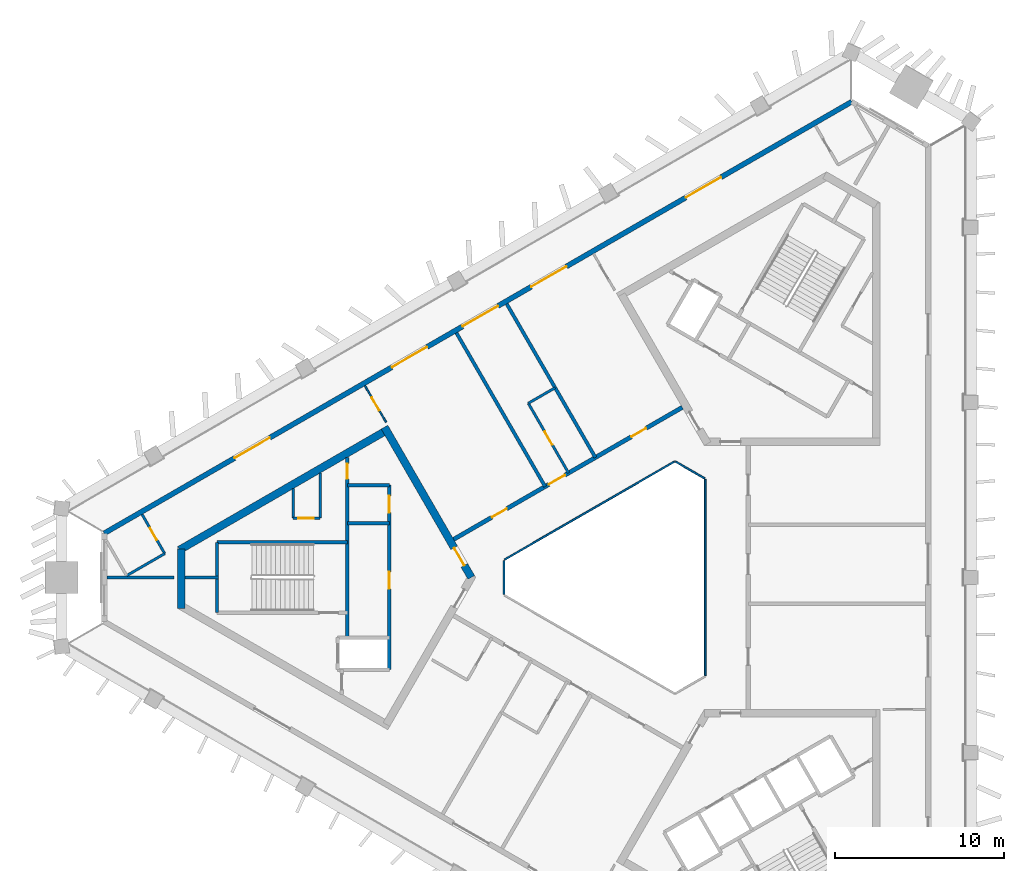
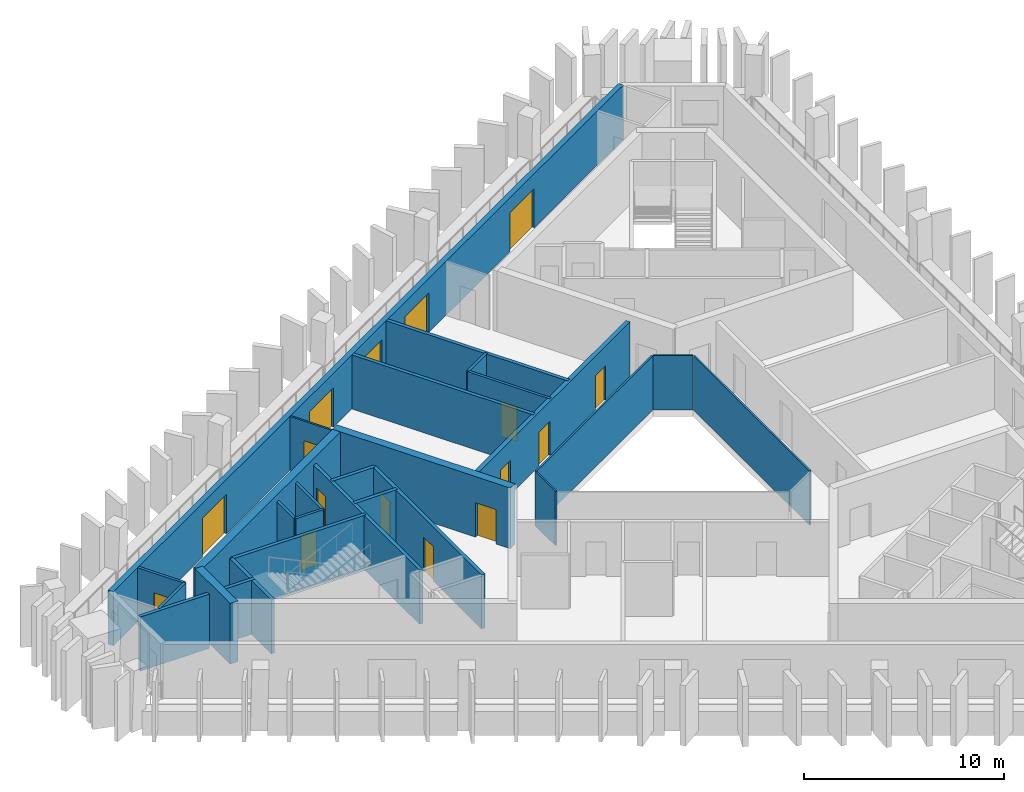
# One storey, part 4 of 10: 27 walls, 16 doors, 16 openings.
"""IFC4 building model written with IfcOpenShell, lengths in metres."""

from ifc_helpers import new_model, si_unit, direction, frame, frame_2d, origin, place, context, subcontext, project, spatial, rectangle, extrude, material, layer, layer_set, type_object, element, fill, save


model = new_model("IFC4")

# Units and contexts
model_context = context("Model", 3, precision=1e-05, world=origin(), true_north=direction((0.0, 1.0)))
body_context = subcontext(model_context, "Body", "Model", "MODEL_VIEW")
ifc_project = project(units=[si_unit("LENGTHUNIT", "METRE"), si_unit("AREAUNIT", "SQUARE_METRE"), si_unit("VOLUMEUNIT", "CUBIC_METRE"), si_unit("PLANEANGLEUNIT", "RADIAN"), si_unit("MASSUNIT", "GRAM", prefix="KILO")], contexts=[model_context])

# Site, building, storey
site_placement = place(None, origin())
site = spatial("IfcSite", under=ifc_project, at=site_placement, CompositionType="ELEMENT")
building_placement = place(site_placement, origin())
building = spatial("IfcBuilding", under=site, at=building_placement, Name="Jabali Bay Hotel Tower and Convention Centre", CompositionType="ELEMENT")
storey_placement = place(building_placement, frame((0.0, 0.0, 216.89990234375)))
storey = spatial("IfcBuildingStorey", under=building, at=storey_placement, Name="L53", CompositionType="ELEMENT", Elevation=216.89990234375)

# Walls
ifc_material_1 = material(Name="Fire-resistant glazing", Category="glass")
ifc_layer_1 = layer(ifc_material_1, 0.10009765625)
ifc_layer_set_1 = layer_set([ifc_layer_1], Name="Fire-resistant glazing")
wall_type_1 = type_object("IfcWallType", Name="Atrium glazed screen 100", PredefinedType="PARTITIONING", material=ifc_layer_set_1)
wall_1_placement = place(storey_placement, frame((79.56005859375, 74.205810546875, 0.0), z_axis=(0.0, 0.0, 1.0), x_axis=(0.0, 1.0, 0.0)))
element("IfcWall", 1, at=wall_1_placement, inside=storey, type_object=wall_type_1, Name="Atrium screen 1 L53", PredefinedType="PARTITIONING", context=body_context, shape_type="SweptSolid", body=[
    extrude(rectangle(XDim=11.58837890625, YDim=0.10009765625, at=frame_2d((5.794189453125, 0.0))), origin(), (0.0, 0.0, 1.0), 3.300048828125),
])
wall_2_placement = place(storey_placement, frame((79.530029296875, 85.84619140625, 0.0), z_axis=(0.0, 0.0, 1.0), x_axis=(-0.866041268327, 0.499972520799, 0.0)))
element("IfcWall", 2, at=wall_2_placement, inside=storey, type_object=wall_type_1, Name="Atrium screen 2 L53", PredefinedType="PARTITIONING", context=body_context, shape_type="SweptSolid", body=[
    extrude(rectangle(XDim=2.0, YDim=0.10009765625, at=frame_2d((1.0, 0.0))), origin(), (0.0, 0.0, 1.0), 3.300048828125),
])
wall_3_placement = place(storey_placement, frame((77.738037109375, 86.84619140625, 0.0), z_axis=(0.0, 0.0, 1.0), x_axis=(-0.866026658274, -0.499997827154, 0.0)))
element("IfcWall", 3, at=wall_3_placement, inside=storey, type_object=wall_type_1, Name="Atrium screen 3 L53", PredefinedType="PARTITIONING", context=body_context, shape_type="SweptSolid", body=[
    extrude(rectangle(XDim=11.58837890625, YDim=0.10009765625, at=frame_2d((5.794189453125, 0.0))), origin(), (0.0, 0.0, 1.0), 3.300048828125),
])
wall_4_placement = place(storey_placement, frame((67.672119140625, 81.0, 0.0), z_axis=(0.0, 0.0, 1.0), x_axis=(0.0, -1.0, 0.0)))
element("IfcWall", 4, at=wall_4_placement, inside=storey, type_object=wall_type_1, Name="Atrium screen 4 L53", PredefinedType="PARTITIONING", context=body_context, shape_type="SweptSolid", body=[
    extrude(rectangle(XDim=2.0, YDim=0.10009765625, at=frame_2d((1.0, 0.0))), origin(), (0.0, 0.0, 1.0), 3.300048828125),
])
ifc_material_2 = material(Name="Concrete C40", Category="concrete")
ifc_layer_2 = layer(ifc_material_2, 0.199951171875)
ifc_layer_set_2 = layer_set([ifc_layer_2], Name="Concrete C40")
wall_type_2 = type_object("IfcWallType", Name="Core partition wall 200", PredefinedType="PARTITIONING", material=ifc_layer_set_2)
wall_5_placement = place(storey_placement, frame((50.820068359375, 80.0, 0.0), z_axis=(0.0, 0.0, 1.0), x_axis=(-1.0, 0.0, 0.0)))
element("IfcWall", 5, at=wall_5_placement, inside=storey, type_object=wall_type_2, Name="Core wall 0.4 L53", PredefinedType="PARTITIONING", context=body_context, shape_type="SweptSolid", body=[
    extrude(rectangle(XDim=1.97314453125, YDim=0.199951171875, at=frame_2d((0.986572265625, 0.0))), origin(), (0.0, 0.0, 1.0), 3.300048828125),
])

# Wall, opening, door
ifc_material_3 = material(Name="Fire-rated board partition")
ifc_layer_3 = layer(ifc_material_3, 0.14990234375)
ifc_layer_set_3 = layer_set([ifc_layer_3], Name="Fire-rated board partition")
wall_type_3 = type_object("IfcWallType", Name="Core room partition 150", PredefinedType="PARTITIONING", material=ifc_layer_set_3)
wall_6_placement = place(storey_placement, frame((56.820068359375, 83.5, 0.0), z_axis=(0.0, 0.0, 1.0), x_axis=(-1.0, 0.0, 0.0)))
wall_6 = element("IfcWall", 6, at=wall_6_placement, inside=storey, type_object=wall_type_3, Name="Core wall 0.1 L53", PredefinedType="PARTITIONING", context=body_context, shape_type="SweptSolid", body=[
    extrude(rectangle(XDim=1.60009765625, YDim=0.14990234375, at=frame_2d((0.800048828125, 0.0))), origin(), (0.0, 0.0, 1.0), 3.300048828125),
])
opening_1_placement = place(wall_6_placement, frame((0.387451171875, 0.0, 0.0)))
opening_1 = element("IfcOpeningElement", 7, at=opening_1_placement, cuts=wall_6, Name="Opening D1148", PredefinedType="OPENING", context=body_context, shape_type="SweptSolid", body=[
    extrude(rectangle(XDim=0.89990234375, YDim=2.10009765625, at=frame_2d((0.449951171875, 1.050048828125))), frame((0.0, 0.08544921875, 0.0), z_axis=(0.0, -1.0, 0.0), x_axis=(1.0, 0.0, 0.0)), (0.0, 0.0, 1.0), 0.1708984375),
])
ifc_material_4 = material(Name="Fire-rated steel door", Category="steel")
door_type_1 = type_object("IfcDoorType", Name="Core room door 900 x 2100", OperationType="NOTDEFINED", PredefinedType="NOTDEFINED", material=ifc_material_4)
door_1_placement = place(opening_1_placement, origin())
door_1 = element("IfcDoor", 8, at=door_1_placement, inside=storey, type_object=door_type_1, Name="Core room door D1148", OperationType="SINGLE_SWING_LEFT", OverallHeight=2.10009765625, OverallWidth=0.89990234375, PredefinedType="NOTDEFINED", context=body_context, shape_type="SweptSolid", body=[
    extrude(rectangle(XDim=0.89990234375, YDim=2.10009765625, at=frame_2d((0.449951171875, 1.050048828125))), frame((0.0, 0.02490234375, 0.0), z_axis=(0.0, -1.0, 0.0), x_axis=(1.0, 0.0, 0.0)), (0.0, 0.0, 1.0), 0.050048828125),
])
fill(opening_1, door_1)

# Walls
wall_7_placement = place(storey_placement, frame((56.820068359375, 86.166015625, 0.0), z_axis=(0.0, 0.0, 1.0), x_axis=(0.0, -1.0, 0.0)))
element("IfcWall", 9, at=wall_7_placement, inside=storey, type_object=wall_type_3, Name="Core wall 0.12 L53", PredefinedType="PARTITIONING", context=body_context, shape_type="SweptSolid", body=[
    extrude(rectangle(XDim=2.666015625, YDim=0.14990234375, at=frame_2d((1.3330078125, 0.0))), origin(), (0.0, 0.0, 1.0), 3.300048828125),
])
wall_8_placement = place(storey_placement, frame((55.219970703125, 85.2421875, 0.0), z_axis=(0.0, 0.0, 1.0), x_axis=(0.0, -1.0, 0.0)))
element("IfcWall", 10, at=wall_8_placement, inside=storey, type_object=wall_type_3, Name="Core wall 0.13 L53", PredefinedType="PARTITIONING", context=body_context, shape_type="SweptSolid", body=[
    extrude(rectangle(XDim=1.7421875, YDim=0.14990234375, at=frame_2d((0.87109375, 0.0))), origin(), (0.0, 0.0, 1.0), 3.300048828125),
])
ifc_layer_4 = layer(ifc_material_2, 0.199951171875)
ifc_layer_set_4 = layer_set([ifc_layer_4], Name="Concrete C40")
wall_type_4 = type_object("IfcWallType", Name="Core stair wall 200", PredefinedType="SOLIDWALL", material=ifc_layer_set_4)
for number, where, z_axis, x_axis, name in (
    (11, (60.89990234375, 85.449951171875, 0.0), (0.0, 0.0, 1.0), (-1.0, 0.0, 0.0), "Core wall 0.0 L53"),
    (12, (60.89990234375, 83.199951171875, 0.0), (0.0, 0.0, 1.0), (-1.0, 0.0, 0.0), "Core wall 0.2 L53"),
):
    element("IfcWall", number, at=place(storey_placement, frame(where, z_axis=z_axis, x_axis=x_axis)), inside=storey, type_object=wall_type_4, Name=name, PredefinedType="SOLIDWALL", context=body_context, shape_type="SweptSolid", body=[
        extrude(rectangle(XDim=2.47998046875, YDim=0.199951171875, at=frame_2d((1.239990234375, 0.0))), origin(), (0.0, 0.0, 1.0), 3.300048828125),
    ])
wall_9_placement = place(storey_placement, frame((58.419921875, 82.074951171875, 0.0), z_axis=(0.0, 0.0, 1.0), x_axis=(-1.0, 0.0, 0.0)))
element("IfcWall", 13, at=wall_9_placement, inside=storey, type_object=wall_type_4, Name="Core wall 0.3 L53", PredefinedType="SOLIDWALL", context=body_context, shape_type="SweptSolid", body=[
    extrude(rectangle(XDim=7.699951171875, YDim=0.199951171875, at=frame_2d((3.85009765625, 0.0))), origin(), (0.0, 0.0, 1.0), 3.300048828125),
])

# Wall, openings, doors
wall_10_placement = place(storey_placement, frame((60.89990234375, 85.449951171875, 0.0), z_axis=(0.0, 0.0, 1.0), x_axis=(0.0, -1.0, 0.0)))
wall_10 = element("IfcWall", 14, at=wall_10_placement, inside=storey, type_object=wall_type_4, Name="Core wall 0.8 L53", PredefinedType="SOLIDWALL", context=body_context, shape_type="SweptSolid", body=[
    extrude(rectangle(XDim=10.89990234375, YDim=0.199951171875, at=frame_2d((5.449951171875, 0.0))), origin(), (0.0, 0.0, 1.0), 3.300048828125),
])
opening_2_placement = place(wall_10_placement, frame((0.625, 0.0, 0.0)))
opening_2 = element("IfcOpeningElement", 15, at=opening_2_placement, cuts=wall_10, Name="Opening D1143", PredefinedType="OPENING", context=body_context, shape_type="SweptSolid", body=[
    extrude(rectangle(XDim=1.0, YDim=2.10009765625, at=frame_2d((0.5, 1.050048828125))), frame((0.0, 0.1103515625, 0.0), z_axis=(0.0, -1.0, 0.0), x_axis=(1.0, 0.0, 0.0)), (0.0, 0.0, 1.0), 0.220947265625),
])
opening_3_placement = place(wall_10_placement, frame((5.125, 0.0, 0.0)))
opening_3 = element("IfcOpeningElement", 16, at=opening_3_placement, cuts=wall_10, Name="Opening D1144", PredefinedType="OPENING", context=body_context, shape_type="SweptSolid", body=[
    extrude(rectangle(XDim=1.0, YDim=2.10009765625, at=frame_2d((0.5, 1.050048828125))), frame((0.0, 0.1103515625, 0.0), z_axis=(0.0, -1.0, 0.0), x_axis=(1.0, 0.0, 0.0)), (0.0, 0.0, 1.0), 0.220947265625),
])
door_type_2 = type_object("IfcDoorType", Name="Core room door 1000 x 2100", OperationType="NOTDEFINED", PredefinedType="NOTDEFINED", material=ifc_material_4)
door_2_placement = place(opening_2_placement, origin())
door_2 = element("IfcDoor", 17, at=door_2_placement, inside=storey, type_object=door_type_2, Name="Core room door D1143", OperationType="SINGLE_SWING_RIGHT", OverallHeight=2.10009765625, OverallWidth=1.0, PredefinedType="NOTDEFINED", context=body_context, shape_type="SweptSolid", body=[
    extrude(rectangle(XDim=1.0, YDim=2.10009765625, at=frame_2d((0.5, 1.050048828125))), frame((0.0, 0.02490234375, 0.0), z_axis=(0.0, -1.0, 0.0), x_axis=(1.0, 0.0, 0.0)), (0.0, 0.0, 1.0), 0.050048828125),
])
fill(opening_2, door_2)
door_3_placement = place(opening_3_placement, origin())
door_3 = element("IfcDoor", 18, at=door_3_placement, inside=storey, type_object=door_type_2, Name="Core room door D1144", OperationType="SINGLE_SWING_RIGHT", OverallHeight=2.10009765625, OverallWidth=1.0, PredefinedType="NOTDEFINED", context=body_context, shape_type="SweptSolid", body=[
    extrude(rectangle(XDim=1.0, YDim=2.10009765625, at=frame_2d((0.5, 1.050048828125))), frame((0.0, 0.02490234375, 0.0), z_axis=(0.0, -1.0, 0.0), x_axis=(1.0, 0.0, 0.0)), (0.0, 0.0, 1.0), 0.050048828125),
])
fill(opening_3, door_3)

# Wall, opening, door
wall_11_placement = place(storey_placement, frame((58.419921875, 87.08984375, 0.0), z_axis=(0.0, 0.0, 1.0), x_axis=(0.0, -1.0, 0.0)))
wall_11 = element("IfcWall", 19, at=wall_11_placement, inside=storey, type_object=wall_type_4, Name="Core wall 0.9 L53", PredefinedType="SOLIDWALL", context=body_context, shape_type="SweptSolid", body=[
    extrude(rectangle(XDim=10.639892578125, YDim=0.199951171875, at=frame_2d((5.31982421875, 0.0))), origin(), (0.0, 0.0, 1.0), 3.300048828125),
])
opening_4_placement = place(wall_11_placement, frame((0.369873046875, 0.0, 0.0)))
opening_4 = element("IfcOpeningElement", 20, at=opening_4_placement, cuts=wall_11, Name="Opening D1146", PredefinedType="OPENING", context=body_context, shape_type="SweptSolid", body=[
    extrude(rectangle(XDim=0.89990234375, YDim=2.10009765625, at=frame_2d((0.449951171875, 1.050048828125))), frame((0.0, 0.1103515625, 0.0), z_axis=(0.0, -1.0, 0.0), x_axis=(1.0, 0.0, 0.0)), (0.0, 0.0, 1.0), 0.220947265625),
])
door_type_3 = type_object("IfcDoorType", Name="Vestibule fire door 900 x 2100", OperationType="NOTDEFINED", PredefinedType="NOTDEFINED", material=ifc_material_4)
door_4_placement = place(opening_4_placement, origin())
door_4 = element("IfcDoor", 21, at=door_4_placement, inside=storey, type_object=door_type_3, Name="Vestibule fire door D1146", OperationType="SINGLE_SWING_LEFT", OverallHeight=2.10009765625, OverallWidth=0.89990234375, PredefinedType="NOTDEFINED", context=body_context, shape_type="SweptSolid", body=[
    extrude(rectangle(XDim=0.89990234375, YDim=2.10009765625, at=frame_2d((0.449951171875, 1.050048828125))), frame((0.0, 0.02490234375, 0.0), z_axis=(0.0, -1.0, 0.0), x_axis=(1.0, 0.0, 0.0)), (0.0, 0.0, 1.0), 0.050048828125),
])
fill(opening_4, door_4)

# Wall
wall_12_placement = place(storey_placement, frame((50.719970703125, 82.074951171875, 0.0), z_axis=(0.0, 0.0, 1.0), x_axis=(0.0, -1.0, 0.0)))
element("IfcWall", 22, at=wall_12_placement, inside=storey, type_object=wall_type_4, Name="Core wall 0.14 L53", PredefinedType="SOLIDWALL", context=body_context, shape_type="SweptSolid", body=[
    extrude(rectangle(XDim=4.14990234375, YDim=0.199951171875, at=frame_2d((2.074951171875, 0.0))), origin(), (0.0, 0.0, 1.0), 3.300048828125),
])

# Wall, opening, door
ifc_material_5 = material(Name="Concrete C60", Category="concrete")
ifc_layer_5 = layer(ifc_material_5, 0.449951171875)
ifc_layer_set_5 = layer_set([ifc_layer_5], Name="Concrete C60")
wall_type_5 = type_object("IfcWallType", Name="Core wall 450", PredefinedType="SHEAR", material=ifc_layer_set_5)
wall_13_placement = place(storey_placement, frame((65.740234375, 80.0, 0.0), z_axis=(0.0, 0.0, 1.0), x_axis=(-0.499991857942, 0.866030104553, 0.0)))
wall_13 = element("IfcWall", 23, at=wall_13_placement, inside=storey, type_object=wall_type_5, Name="Core wall 1.1 L53", PredefinedType="SHEAR", context=body_context, shape_type="SweptSolid", body=[
    extrude(rectangle(XDim=10.250244140625, YDim=0.449951171875, at=frame_2d((5.125, 0.0))), origin(), (0.0, 0.0, 1.0), 3.7001953125),
])
opening_5_placement = place(wall_13_placement, frame((0.820068359375, 0.0, 0.0)))
opening_5 = element("IfcOpeningElement", 24, at=opening_5_placement, cuts=wall_13, Name="Opening D1141", PredefinedType="OPENING", context=body_context, shape_type="SweptSolid", body=[
    extrude(rectangle(XDim=1.199951171875, YDim=2.10009765625, at=frame_2d((0.60009765625, 1.050048828125))), frame((0.0, 0.2353515625, 0.0), z_axis=(0.0, -1.0, 0.0), x_axis=(1.0, 0.0, 0.0)), (0.0, 0.0, 1.0), 0.470947265625),
])
door_type_4 = type_object("IfcDoorType", Name="Corridor end fire door 1200 x 2100", OperationType="NOTDEFINED", PredefinedType="NOTDEFINED", material=ifc_material_4)
door_5_placement = place(opening_5_placement, origin())
door_5 = element("IfcDoor", 25, at=door_5_placement, inside=storey, type_object=door_type_4, Name="Corridor end fire door D1141", OperationType="SINGLE_SWING_RIGHT", OverallHeight=2.10009765625, OverallWidth=1.199951171875, PredefinedType="NOTDEFINED", context=body_context, shape_type="SweptSolid", body=[
    extrude(rectangle(XDim=1.199951171875, YDim=2.10009765625, at=frame_2d((0.60009765625, 1.050048828125))), frame((0.0, 0.02490234375, 0.0), z_axis=(0.0, -1.0, 0.0), x_axis=(1.0, 0.0, 0.0)), (0.0, 0.0, 1.0), 0.050048828125),
])
fill(opening_5, door_5)

# Walls
wall_14_placement = place(storey_placement, frame((60.7275390625, 88.681884765625, 0.0), z_axis=(0.0, 0.0, 1.0), x_axis=(-0.866021613849, -0.500006564303, 0.0)))
element("IfcWall", 26, at=wall_14_placement, inside=storey, type_object=wall_type_5, Name="Core wall 1.2 L53", PredefinedType="SHEAR", context=body_context, shape_type="SweptSolid", body=[
    extrude(rectangle(XDim=14.108154296875, YDim=0.449951171875, at=frame_2d((7.05419921875, 0.0))), origin(), (0.0, 0.0, 1.0), 3.7001953125),
])
wall_15_placement = place(storey_placement, frame((48.621826171875, 81.692626953125, 0.0), z_axis=(0.0, 0.0, 1.0), x_axis=(0.0, -1.0, 0.0)))
element("IfcWall", 27, at=wall_15_placement, inside=storey, type_object=wall_type_5, Name="Core wall 1.3 L53", PredefinedType="SHEAR", context=body_context, shape_type="SweptSolid", body=[
    extrude(rectangle(XDim=3.515380859375, YDim=0.449951171875, at=frame_2d((1.7578125, 0.0))), origin(), (0.0, 0.0, 1.0), 3.7001953125),
])

# Wall, openings, doors
ifc_layer_6 = layer(ifc_material_5, 0.25)
ifc_layer_set_6 = layer_set([ifc_layer_6], Name="Concrete C60")
wall_type_6 = type_object("IfcWallType", Name="Corridor wall 250", PredefinedType="SHEAR", material=ifc_layer_set_6)
wall_16_placement = place(storey_placement, frame((78.199951171875, 90.0458984375, 0.0), z_axis=(0.0, 0.0, 1.0), x_axis=(-0.866026492143, -0.499998114903, 0.0)))
wall_16 = element("IfcWall", 28, at=wall_16_placement, inside=storey, type_object=wall_type_6, Name="Corridor wall 2 L53", PredefinedType="SHEAR", context=body_context, shape_type="SweptSolid", body=[
    extrude(rectangle(XDim=15.58837890625, YDim=0.25, at=frame_2d((7.794189453125, 0.0))), origin(), (0.0, 0.0, 1.0), 3.300048828125),
])
opening_6_placement = place(wall_16_placement, frame((2.4619140625, 0.0, 0.0)))
opening_6 = element("IfcOpeningElement", 29, at=opening_6_placement, cuts=wall_16, Name="Opening 5306", PredefinedType="OPENING", context=body_context, shape_type="SweptSolid", body=[
    extrude(rectangle(XDim=1.0, YDim=2.10009765625, at=frame_2d((0.5, 1.050048828125))), frame((0.0, 0.135498046875, 0.0), z_axis=(0.0, -1.0, 0.0), x_axis=(1.0, 0.0, 0.0)), (0.0, 0.0, 1.0), 0.27099609375),
])
opening_7_placement = place(wall_16_placement, frame((8.003173828125, 0.0, 0.0)))
opening_7 = element("IfcOpeningElement", 30, at=opening_7_placement, cuts=wall_16, Name="Opening 5310", PredefinedType="OPENING", context=body_context, shape_type="SweptSolid", body=[
    extrude(rectangle(XDim=1.10009765625, YDim=2.10009765625, at=frame_2d((0.550048828125, 1.050048828125))), frame((0.0, 0.135498046875, 0.0), z_axis=(0.0, -1.0, 0.0), x_axis=(1.0, 0.0, 0.0)), (0.0, 0.0, 1.0), 0.27099609375),
])
opening_8_placement = place(wall_16_placement, frame((11.970703125, 0.0, 0.0)))
opening_8 = element("IfcOpeningElement", 31, at=opening_8_placement, cuts=wall_16, Name="Opening 5311", PredefinedType="OPENING", context=body_context, shape_type="SweptSolid", body=[
    extrude(rectangle(XDim=1.0, YDim=2.10009765625, at=frame_2d((0.5, 1.050048828125))), frame((0.0, 0.135498046875, 0.0), z_axis=(0.0, -1.0, 0.0), x_axis=(1.0, 0.0, 0.0)), (0.0, 0.0, 1.0), 0.27099609375),
])
ifc_material_6 = material(Name="Timber", Category="wood")
door_type_5 = type_object("IfcDoorType", Name="Accessible guest room door 1100 x 2100", OperationType="NOTDEFINED", PredefinedType="NOTDEFINED", material=ifc_material_6)
door_6_placement = place(opening_7_placement, origin())
door_6 = element("IfcDoor", 32, at=door_6_placement, inside=storey, type_object=door_type_5, Name="Door 5310", OperationType="SINGLE_SWING_RIGHT", OverallHeight=2.10009765625, OverallWidth=1.10009765625, PredefinedType="NOTDEFINED", context=body_context, shape_type="SweptSolid", body=[
    extrude(rectangle(XDim=1.10009765625, YDim=2.10009765625, at=frame_2d((0.550048828125, 1.050048828125))), frame((0.0, 0.02490234375, 0.0), z_axis=(0.0, -1.0, 0.0), x_axis=(1.0, 0.0, 0.0)), (0.0, 0.0, 1.0), 0.050048828125),
])
fill(opening_7, door_6)
door_type_6 = type_object("IfcDoorType", Name="Guest room door 1000 x 2100", OperationType="NOTDEFINED", PredefinedType="NOTDEFINED", material=ifc_material_6)
door_7_placement = place(opening_6_placement, origin())
door_7 = element("IfcDoor", 33, at=door_7_placement, inside=storey, type_object=door_type_6, Name="Door 5306", OperationType="SINGLE_SWING_LEFT", OverallHeight=2.10009765625, OverallWidth=1.0, PredefinedType="NOTDEFINED", context=body_context, shape_type="SweptSolid", body=[
    extrude(rectangle(XDim=1.0, YDim=2.10009765625, at=frame_2d((0.5, 1.050048828125))), frame((0.0, 0.02490234375, 0.0), z_axis=(0.0, -1.0, 0.0), x_axis=(1.0, 0.0, 0.0)), (0.0, 0.0, 1.0), 0.050048828125),
])
fill(opening_6, door_7)
door_8_placement = place(opening_8_placement, origin())
door_8 = element("IfcDoor", 34, at=door_8_placement, inside=storey, type_object=door_type_6, Name="Door 5311", OperationType="SINGLE_SWING_RIGHT", OverallHeight=2.10009765625, OverallWidth=1.0, PredefinedType="NOTDEFINED", context=body_context, shape_type="SweptSolid", body=[
    extrude(rectangle(XDim=1.0, YDim=2.10009765625, at=frame_2d((0.5, 1.050048828125))), frame((0.0, 0.02490234375, 0.0), z_axis=(0.0, -1.0, 0.0), x_axis=(1.0, 0.0, 0.0)), (0.0, 0.0, 1.0), 0.050048828125),
])
fill(opening_8, door_8)

ifc_layer_7 = layer(ifc_material_2, 0.300048828125)
ifc_layer_set_7 = layer_set([ifc_layer_7], Name="Concrete C40")
wall_type_7 = type_object("IfcWallType", Name="External wall 300", PredefinedType="SOLIDWALL", material=ifc_layer_set_7)
wall_17_placement = place(storey_placement, frame((44.06298828125, 82.607421875, 0.0), z_axis=(0.0, 0.0, 1.0), x_axis=(0.866024402399, 0.500001734447, 0.0)))
wall_17 = element("IfcWall", 35, at=wall_17_placement, inside=storey, type_object=wall_type_7, Name="External wall north-west face L53", PredefinedType="SOLIDWALL", context=body_context, shape_type="SweptSolid", body=[
    extrude(rectangle(XDim=50.976806640625, YDim=0.300048828125, at=frame_2d((25.48828125, 0.0))), origin(), (0.0, 0.0, 1.0), 3.300048828125),
])
opening_9_placement = place(wall_17_placement, frame((24.4443359375, 0.0, 0.0)))
opening_9 = element("IfcOpeningElement", 36, at=opening_9_placement, cuts=wall_17, Name="Opening SD1", PredefinedType="OPENING", context=body_context, shape_type="SweptSolid", body=[
    extrude(rectangle(XDim=2.39990234375, YDim=2.39990234375, at=frame_2d((1.199951171875, 1.199951171875))), frame((0.0, 0.16064453125, 0.0), z_axis=(0.0, -1.0, 0.0), x_axis=(1.0, 0.0, 0.0)), (0.0, 0.0, 1.0), 0.321044921875),
])
opening_10_placement = place(wall_17_placement, frame((29.120849609375, 0.0, 0.0)))
opening_10 = element("IfcOpeningElement", 37, at=opening_10_placement, cuts=wall_17, Name="Opening SD1", PredefinedType="OPENING", context=body_context, shape_type="SweptSolid", body=[
    extrude(rectangle(XDim=2.39990234375, YDim=2.39990234375, at=frame_2d((1.199951171875, 1.199951171875))), frame((0.0, 0.16064453125, 0.0), z_axis=(0.0, -1.0, 0.0), x_axis=(1.0, 0.0, 0.0)), (0.0, 0.0, 1.0), 0.321044921875),
])
opening_11_placement = place(wall_17_placement, frame((39.65576171875, 0.0, 0.0)))
opening_11 = element("IfcOpeningElement", 38, at=opening_11_placement, cuts=wall_17, Name="Opening SD1", PredefinedType="OPENING", context=body_context, shape_type="SweptSolid", body=[
    extrude(rectangle(XDim=2.39990234375, YDim=2.39990234375, at=frame_2d((1.199951171875, 1.199951171875))), frame((0.0, 0.16064453125, 0.0), z_axis=(0.0, -1.0, 0.0), x_axis=(1.0, 0.0, 0.0)), (0.0, 0.0, 1.0), 0.321044921875),
])
opening_12_placement = place(wall_17_placement, frame((19.61181640625, 0.0, 0.0)))
opening_12 = element("IfcOpeningElement", 39, at=opening_12_placement, cuts=wall_17, Name="Opening SD1", PredefinedType="OPENING", context=body_context, shape_type="SweptSolid", body=[
    extrude(rectangle(XDim=2.39990234375, YDim=2.39990234375, at=frame_2d((1.199951171875, 1.199951171875))), frame((0.0, 0.16064453125, 0.0), z_axis=(0.0, -1.0, 0.0), x_axis=(1.0, 0.0, 0.0)), (0.0, 0.0, 1.0), 0.321044921875),
])
opening_13_placement = place(wall_17_placement, frame((8.88525390625, 0.0, 0.0)))
opening_13 = element("IfcOpeningElement", 40, at=opening_13_placement, cuts=wall_17, Name="Opening SD1", PredefinedType="OPENING", context=body_context, shape_type="SweptSolid", body=[
    extrude(rectangle(XDim=2.39990234375, YDim=2.39990234375, at=frame_2d((1.199951171875, 1.199951171875))), frame((0.0, 0.16064453125, 0.0), z_axis=(0.0, -1.0, 0.0), x_axis=(1.0, 0.0, 0.0)), (0.0, 0.0, 1.0), 0.321044921875),
])
ifc_material_7 = material(Name="Glass", Category="glass")
door_type_7 = type_object("IfcDoorType", Name="Loggia sliding door 2400 x 2400", OperationType="NOTDEFINED", PredefinedType="NOTDEFINED", material=ifc_material_7)
door_9_placement = place(opening_9_placement, origin())
door_9 = element("IfcDoor", 41, at=door_9_placement, inside=storey, type_object=door_type_7, Name="Loggia sliding door 5304", OperationType="SLIDING_TO_LEFT", OverallHeight=2.39990234375, OverallWidth=2.39990234375, PredefinedType="NOTDEFINED", context=body_context, shape_type="SweptSolid", body=[
    extrude(rectangle(XDim=2.39990234375, YDim=2.39990234375, at=frame_2d((1.199951171875, 1.199951171875))), frame((0.0, 0.02490234375, 0.0), z_axis=(0.0, -1.0, 0.0), x_axis=(1.0, 0.0, 0.0)), (0.0, 0.0, 1.0), 0.050048828125),
])
fill(opening_9, door_9)
door_10_placement = place(opening_10_placement, origin())
door_10 = element("IfcDoor", 42, at=door_10_placement, inside=storey, type_object=door_type_7, Name="Loggia sliding door 5303", OperationType="SLIDING_TO_RIGHT", OverallHeight=2.39990234375, OverallWidth=2.39990234375, PredefinedType="NOTDEFINED", context=body_context, shape_type="SweptSolid", body=[
    extrude(rectangle(XDim=2.39990234375, YDim=2.39990234375, at=frame_2d((1.199951171875, 1.199951171875))), frame((0.0, 0.02490234375, 0.0), z_axis=(0.0, -1.0, 0.0), x_axis=(1.0, 0.0, 0.0)), (0.0, 0.0, 1.0), 0.050048828125),
])
fill(opening_10, door_10)
door_11_placement = place(opening_11_placement, origin())
door_11 = element("IfcDoor", 43, at=door_11_placement, inside=storey, type_object=door_type_7, Name="Loggia sliding door 5303", OperationType="SLIDING_TO_LEFT", OverallHeight=2.39990234375, OverallWidth=2.39990234375, PredefinedType="NOTDEFINED", context=body_context, shape_type="SweptSolid", body=[
    extrude(rectangle(XDim=2.39990234375, YDim=2.39990234375, at=frame_2d((1.199951171875, 1.199951171875))), frame((0.0, 0.02490234375, 0.0), z_axis=(0.0, -1.0, 0.0), x_axis=(1.0, 0.0, 0.0)), (0.0, 0.0, 1.0), 0.050048828125),
])
fill(opening_11, door_11)
door_12_placement = place(opening_12_placement, origin())
door_12 = element("IfcDoor", 44, at=door_12_placement, inside=storey, type_object=door_type_7, Name="Loggia sliding door 5305", OperationType="SLIDING_TO_RIGHT", OverallHeight=2.39990234375, OverallWidth=2.39990234375, PredefinedType="NOTDEFINED", context=body_context, shape_type="SweptSolid", body=[
    extrude(rectangle(XDim=2.39990234375, YDim=2.39990234375, at=frame_2d((1.199951171875, 1.199951171875))), frame((0.0, 0.02490234375, 0.0), z_axis=(0.0, -1.0, 0.0), x_axis=(1.0, 0.0, 0.0)), (0.0, 0.0, 1.0), 0.050048828125),
])
fill(opening_12, door_12)
door_13_placement = place(opening_13_placement, origin())
door_13 = element("IfcDoor", 45, at=door_13_placement, inside=storey, type_object=door_type_7, Name="Loggia sliding door 5305", OperationType="SLIDING_TO_LEFT", OverallHeight=2.39990234375, OverallWidth=2.39990234375, PredefinedType="NOTDEFINED", context=body_context, shape_type="SweptSolid", body=[
    extrude(rectangle(XDim=2.39990234375, YDim=2.39990234375, at=frame_2d((1.199951171875, 1.199951171875))), frame((0.0, 0.02490234375, 0.0), z_axis=(0.0, -1.0, 0.0), x_axis=(1.0, 0.0, 0.0)), (0.0, 0.0, 1.0), 0.050048828125),
])
fill(opening_13, door_13)

# Wall, opening, door
ifc_material_8 = material(Name="Plasterboard on steel stud", Category="steel")
ifc_layer_8 = layer(ifc_material_8, 0.10009765625)
ifc_layer_set_8 = layer_set([ifc_layer_8], Name="Plasterboard on steel stud")
wall_type_8 = type_object("IfcWallType", Name="Partition 100 unit", PredefinedType="PARTITIONING", material=ifc_layer_set_8)
wall_18_placement = place(storey_placement, frame((59.461181640625, 91.32568359375, 0.0), z_axis=(0.0, 0.0, 1.0), x_axis=(0.499953629774, -0.866052173992, 0.0)))
wall_18 = element("IfcWall", 46, at=wall_18_placement, inside=storey, type_object=wall_type_8, Name="Partition P02 L53 017", PredefinedType="PARTITIONING", context=body_context, shape_type="SweptSolid", body=[
    extrude(rectangle(XDim=2.498779296875, YDim=0.10009765625, at=frame_2d((1.24951171875, 0.0))), origin(), (0.0, 0.0, 1.0), 3.300048828125),
])
opening_14_placement = place(wall_18_placement, frame((0.799072265625, 0.0, 0.0)))
opening_14 = element("IfcOpeningElement", 47, at=opening_14_placement, cuts=wall_18, Name="Opening 5312", PredefinedType="OPENING", context=body_context, shape_type="SweptSolid", body=[
    extrude(rectangle(XDim=0.89990234375, YDim=2.10009765625, at=frame_2d((0.449951171875, 1.050048828125))), frame((0.0, 0.060546875, 0.0), z_axis=(0.0, -1.0, 0.0), x_axis=(1.0, 0.0, 0.0)), (0.0, 0.0, 1.0), 0.12109375),
])
door_type_8 = type_object("IfcDoorType", Name="Internal door 900 x 2100", OperationType="NOTDEFINED", PredefinedType="NOTDEFINED", material=ifc_material_6)
door_14_placement = place(opening_14_placement, origin())
door_14 = element("IfcDoor", 48, at=door_14_placement, inside=storey, type_object=door_type_8, Name="Door 5312", OperationType="SINGLE_SWING_LEFT", OverallHeight=2.10009765625, OverallWidth=0.89990234375, PredefinedType="NOTDEFINED", context=body_context, shape_type="SweptSolid", body=[
    extrude(rectangle(XDim=0.89990234375, YDim=2.10009765625, at=frame_2d((0.449951171875, 1.050048828125))), frame((0.0, 0.02490234375, 0.0), z_axis=(0.0, -1.0, 0.0), x_axis=(1.0, 0.0, 0.0)), (0.0, 0.0, 1.0), 0.050048828125),
])
fill(opening_14, door_14)

ifc_layer_9 = layer(ifc_material_8, 0.14990234375)
ifc_layer_set_9 = layer_set([ifc_layer_9], Name="Plasterboard on steel stud")
wall_type_9 = type_object("IfcWallType", Name="Partition 150 wet", PredefinedType="PARTITIONING", material=ifc_layer_set_9)
wall_19_placement = place(storey_placement, frame((71.485595703125, 86.16943359375, 0.0), z_axis=(0.0, 0.0, 1.0), x_axis=(-0.499987613552, 0.866032554986, 0.0)))
wall_19 = element("IfcWall", 49, at=wall_19_placement, inside=storey, type_object=wall_type_9, Name="Partition P03 L53 014", PredefinedType="PARTITIONING", context=body_context, shape_type="SweptSolid", body=[
    extrude(rectangle(XDim=4.75537109375, YDim=0.14990234375, at=frame_2d((2.377685546875, 0.0))), origin(), (0.0, 0.0, 1.0), 3.300048828125),
])
opening_15_placement = place(wall_19_placement, frame((1.927978515625, 0.0, 0.0)))
opening_15 = element("IfcOpeningElement", 50, at=opening_15_placement, cuts=wall_19, Name="Opening 5309", PredefinedType="OPENING", context=body_context, shape_type="SweptSolid", body=[
    extrude(rectangle(XDim=0.89990234375, YDim=2.10009765625, at=frame_2d((0.449951171875, 1.050048828125))), frame((0.0, 0.08544921875, 0.0), z_axis=(0.0, -1.0, 0.0), x_axis=(1.0, 0.0, 0.0)), (0.0, 0.0, 1.0), 0.1708984375),
])
door_type_9 = type_object("IfcDoorType", Name="Accessible en-suite door 900 x 2100", OperationType="NOTDEFINED", PredefinedType="NOTDEFINED", material=ifc_material_6)
door_15_placement = place(opening_15_placement, origin())
door_15 = element("IfcDoor", 51, at=door_15_placement, inside=storey, type_object=door_type_9, Name="Door 5309", OperationType="SINGLE_SWING_LEFT", OverallHeight=2.10009765625, OverallWidth=0.89990234375, PredefinedType="NOTDEFINED", context=body_context, shape_type="SweptSolid", body=[
    extrude(rectangle(XDim=0.89990234375, YDim=2.10009765625, at=frame_2d((0.449951171875, 1.050048828125))), frame((0.0, 0.02490234375, 0.0), z_axis=(0.0, -1.0, 0.0), x_axis=(1.0, 0.0, 0.0)), (0.0, 0.0, 1.0), 0.050048828125),
])
fill(opening_15, door_15)

# Wall
wall_20_placement = place(storey_placement, frame((69.10791015625, 90.287841796875, 0.0), z_axis=(0.0, 0.0, 1.0), x_axis=(0.866050016054, 0.499957367875, 0.0)))
element("IfcWall", 52, at=wall_20_placement, inside=storey, type_object=wall_type_9, Name="Partition P03 L53 015", PredefinedType="PARTITIONING", context=body_context, shape_type="SweptSolid", body=[
    extrude(rectangle(XDim=1.829345703125, YDim=0.14990234375, at=frame_2d((0.91455078125, 0.0))), origin(), (0.0, 0.0, 1.0), 3.300048828125),
])

# Wall, opening, door
wall_21_placement = place(storey_placement, frame((46.297607421875, 83.7255859375, 0.0), z_axis=(0.0, 0.0, 1.0), x_axis=(0.500014634633, -0.86601695431, 0.0)))
wall_21 = element("IfcWall", 53, at=wall_21_placement, inside=storey, type_object=wall_type_9, Name="Partition P03 L53 018", PredefinedType="PARTITIONING", context=body_context, shape_type="SweptSolid", body=[
    extrude(rectangle(XDim=2.67626953125, YDim=0.14990234375, at=frame_2d((1.338134765625, 0.0))), origin(), (0.0, 0.0, 1.0), 3.300048828125),
])
opening_16_placement = place(wall_21_placement, frame((0.93798828125, 0.0, 0.0)))
opening_16 = element("IfcOpeningElement", 54, at=opening_16_placement, cuts=wall_21, Name="Opening 5313", PredefinedType="OPENING", context=body_context, shape_type="SweptSolid", body=[
    extrude(rectangle(XDim=0.800048828125, YDim=2.10009765625, at=frame_2d((0.39990234375, 1.050048828125))), frame((0.0, 0.08544921875, 0.0), z_axis=(0.0, -1.0, 0.0), x_axis=(1.0, 0.0, 0.0)), (0.0, 0.0, 1.0), 0.1708984375),
])
door_type_10 = type_object("IfcDoorType", Name="En-suite door 800 x 2100", OperationType="NOTDEFINED", PredefinedType="NOTDEFINED", material=ifc_material_6)
door_16_placement = place(opening_16_placement, origin())
door_16 = element("IfcDoor", 55, at=door_16_placement, inside=storey, type_object=door_type_10, Name="Door 5313", OperationType="SINGLE_SWING_RIGHT", OverallHeight=2.10009765625, OverallWidth=0.800048828125, PredefinedType="NOTDEFINED", context=body_context, shape_type="SweptSolid", body=[
    extrude(rectangle(XDim=0.800048828125, YDim=2.10009765625, at=frame_2d((0.39990234375, 1.050048828125))), frame((0.0, 0.02490234375, 0.0), z_axis=(0.0, -1.0, 0.0), x_axis=(1.0, 0.0, 0.0)), (0.0, 0.0, 1.0), 0.050048828125),
])
fill(opening_16, door_16)

# Walls
wall_22_placement = place(storey_placement, frame((47.6357421875, 81.407958984375, 0.0), z_axis=(0.0, 0.0, 1.0), x_axis=(-0.866021400173, -0.500006934395, 0.0)))
element("IfcWall", 56, at=wall_22_placement, inside=storey, type_object=wall_type_9, Name="Partition P03 L53 019", PredefinedType="PARTITIONING", context=body_context, shape_type="SweptSolid", body=[
    extrude(rectangle(XDim=2.60009765625, YDim=0.14990234375, at=frame_2d((1.300048828125, 0.0))), origin(), (0.0, 0.0, 1.0), 3.300048828125),
])
ifc_layer_10 = layer(ifc_material_8, 0.199951171875)
ifc_layer_set_10 = layer_set([ifc_layer_10], Name="Plasterboard on steel stud")
wall_type_10 = type_object("IfcWallType", Name="Partition 200 party", PredefinedType="PARTITIONING", material=ifc_layer_set_10)
for number, where, z_axis, x_axis, name in (
    (57, (67.8310546875, 96.157958984375, 0.0), (0.0, 0.0, 1.0), (0.500010879287, -0.866019122534, 0.0), "Partition P01 L53 010"),
    (58, (64.861083984375, 94.443359375, 0.0), (0.0, 0.0, 1.0), (0.500010879287, -0.866019122534, 0.0), "Partition P01 L53 016"),
):
    element("IfcWall", number, at=place(storey_placement, frame(where, z_axis=z_axis, x_axis=x_axis)), inside=storey, type_object=wall_type_10, Name=name, PredefinedType="PARTITIONING", context=body_context, shape_type="SweptSolid", body=[
        extrude(rectangle(XDim=10.477783203125, YDim=0.199951171875, at=frame_2d((5.23876953125, 0.0))), origin(), (0.0, 0.0, 1.0), 3.300048828125),
    ])
wall_23_placement = place(storey_placement, frame((44.2119140625, 80.0009765625, 0.0), z_axis=(0.0, 0.0, 1.0), x_axis=(1.0, 0.0, 0.0)))
element("IfcWall", 59, at=wall_23_placement, inside=storey, type_object=wall_type_10, Name="Partition P01 L53 021", PredefinedType="PARTITIONING", context=body_context, shape_type="SweptSolid", body=[
    extrude(rectangle(XDim=3.986083984375, YDim=0.199951171875, at=frame_2d((1.9931640625, 0.0))), origin(), (0.0, 0.0, 1.0), 3.300048828125),
])

save(model, "model.ifc")
